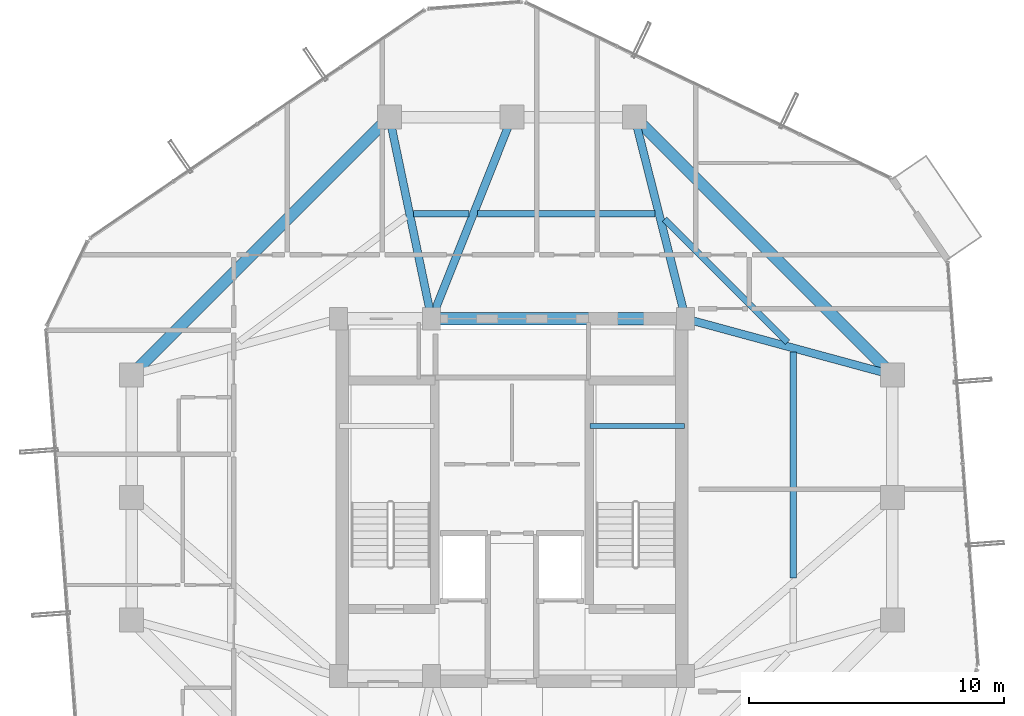
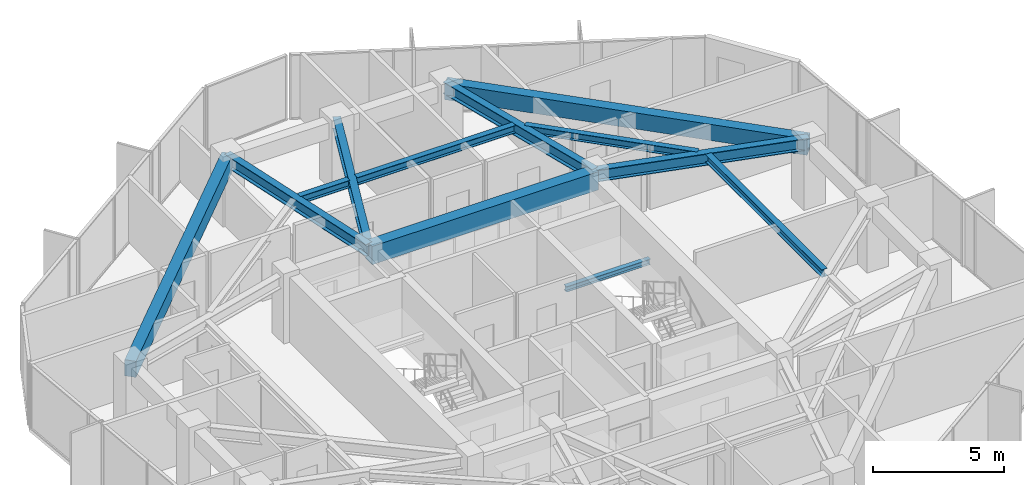
# One storey, part 18 of 34: 12 beams.
"""IFC4 building model written with IfcOpenShell, lengths in metres."""

from ifc_helpers import new_model, si_unit, direction, frame, origin, origin_2d, place, context, subcontext, project, spatial, rectangle, i_section, extrude, material, material_profile, profile_set, type_object, element, save


model = new_model("IFC4")

# Units and contexts
model_context = context("Model", 3, precision=1e-05, world=origin(), true_north=direction((0.0, 1.0)))
body_context = subcontext(model_context, "Body", "Model", "MODEL_VIEW")
ifc_project = project(units=[si_unit("LENGTHUNIT", "METRE"), si_unit("AREAUNIT", "SQUARE_METRE"), si_unit("VOLUMEUNIT", "CUBIC_METRE"), si_unit("PLANEANGLEUNIT", "RADIAN"), si_unit("MASSUNIT", "GRAM", prefix="KILO")], contexts=[model_context])

# Site, building, storey
site_placement = place(None, origin())
site = spatial("IfcSite", under=ifc_project, at=site_placement, CompositionType="ELEMENT")
building_placement = place(site_placement, origin())
building = spatial("IfcBuilding", under=site, at=building_placement, Name="Veraguas Prism Commons", CompositionType="ELEMENT")
storey_placement = place(building_placement, frame((0.0, 0.0, 191.85009765625)))
storey = spatial("IfcBuildingStorey", under=building, at=storey_placement, Name="L54", CompositionType="ELEMENT", Elevation=191.85009765625)

# Beams
ifc_material_1 = material(Name="Concrete C50/60", Category="concrete")
ifc_material_profile_1 = material_profile(ifc_material_1, rectangle(XDim=0.5, YDim=0.85009765625, at=origin_2d()), Name="RC500X850")
ifc_profile_set_1 = profile_set([ifc_material_profile_1], Name="Concrete C50/60")
beam_type_1 = type_object("IfcBeamType", Name="Core Coupling Beam RC 500x850", PredefinedType="BEAM", material=ifc_profile_set_1)
beam_1_placement = place(storey_placement, frame((20.85009765625, 31.0, 2.58984375), z_axis=(1.0, 0.0, 0.0), x_axis=(0.0, 1.0, 0.0)))
element("IfcBeam", 1, at=beam_1_placement, inside=storey, type_object=beam_type_1, Name="Core Coupling Beam L54-CRN2", PredefinedType="BEAM", context=body_context, shape_type="SweptSolid", body=[
    extrude(rectangle(XDim=0.5, YDim=0.85009765625, at=origin_2d()), origin(), (0.0, 0.0, 1.0), 9.949951171875),
])
ifc_material_profile_2 = material_profile(ifc_material_1, rectangle(XDim=0.449951171875, YDim=0.75, at=origin_2d()), Name="RC450X750")
ifc_profile_set_2 = profile_set([ifc_material_profile_2], Name="Concrete C50/60")
beam_type_2 = type_object("IfcBeamType", Name="Perimeter Spandrel Upper RC 450x750", PredefinedType="SPANDREL", material=ifc_profile_set_2)
for number, where, z_axis, x_axis, name in (
    (2, (38.89990234375, 28.800048828125, 2.639892578125), (-0.707106781187, 0.707106781187, 0.0), (-0.707106781187, -0.707106781187, 0.0), "Perimeter Spandrel Beam L54-SP03"),
    (3, (19.199951171875, 38.89990234375, 2.639892578125), (-0.707106781187, -0.707106781187, 0.0), (0.707106781187, -0.707106781187, 0.0), "Perimeter Spandrel Beam L54-SP06"),
):
    element("IfcBeam", number, at=place(storey_placement, frame(where, z_axis=z_axis, x_axis=x_axis)), inside=storey, type_object=beam_type_2, Name=name, PredefinedType="SPANDREL", context=body_context, shape_type="SweptSolid", body=[
        extrude(rectangle(XDim=0.449951171875, YDim=0.75, at=origin_2d()), origin(), (0.0, 0.0, 1.0), 14.283447265625),
    ])
ifc_material_2 = material(Name="Steel ASTM A992 Grade 50", Category="steel")
ifc_material_profile_3 = material_profile(ifc_material_2, i_section(OverallWidth=0.202880859375, OverallDepth=0.251953125, WebThickness=0.008056640625, FlangeThickness=0.013427734375, at=origin_2d()), Name="W250X58")
ifc_profile_set_3 = profile_set([ifc_material_profile_3], Name="Steel ASTM A992 Grade 50")
beam_type_3 = type_object("IfcBeamType", Name="Structural Opening Lintel W250x58", PredefinedType="LINTEL", material=ifc_profile_set_3)
beam_2_placement = place(storey_placement, frame((27.050048828125, 26.800048828125, 1.298828125), z_axis=(1.0, 0.0, 0.0), x_axis=(0.0, 1.0, 0.0)))
element("IfcBeam", 4, at=beam_2_placement, inside=storey, type_object=beam_type_3, Name="Stair ST-02 Half-Landing Support Beam L54-1", PredefinedType="LINTEL", context=body_context, shape_type="SweptSolid", body=[
    extrude(i_section(OverallWidth=0.202880859375, OverallDepth=0.251953125, WebThickness=0.008056640625, FlangeThickness=0.013427734375, at=origin_2d()), origin(), (0.0, 0.0, 1.0), 3.699951171875),
])
ifc_material_profile_4 = material_profile(ifc_material_2, i_section(OverallWidth=0.25390625, OverallDepth=0.35302734375, WebThickness=0.009521484375, FlangeThickness=0.016357421875, at=origin_2d()), Name="W360X91")
ifc_profile_set_4 = profile_set([ifc_material_profile_4], Name="Steel ASTM A992 Grade 50")
beam_type_4 = type_object("IfcBeamType", Name="Upper Floor Joist W360x91", PredefinedType="JOIST", material=ifc_profile_set_4)
beam_3_placement = place(storey_placement, frame((35.011962890625, 20.843017578125, 2.83837890625), z_axis=(0.0, 1.0, 0.0), x_axis=(-1.0, 0.0, 0.0)))
element("IfcBeam", 5, at=beam_3_placement, inside=storey, type_object=beam_type_4, Name="Composite Floor Joist L54-JS02", PredefinedType="JOIST", context=body_context, shape_type="SweptSolid", body=[
    extrude(i_section(OverallWidth=0.25390625, OverallDepth=0.35302734375, WebThickness=0.009521484375, FlangeThickness=0.016357421875, at=origin_2d()), origin(), (0.0, 0.0, 1.0), 8.85400390625),
])
beam_4_placement = place(storey_placement, frame((34.793701171875, 30.074462890625, 2.83837890625), z_axis=(-0.707124682851, 0.707088879069, 0.0), x_axis=(-0.707088879069, -0.707124682851, 0.0)))
element("IfcBeam", 6, at=beam_4_placement, inside=storey, type_object=beam_type_4, Name="Composite Floor Joist L54-JS03", PredefinedType="JOIST", context=body_context, shape_type="SweptSolid", body=[
    extrude(i_section(OverallWidth=0.25390625, OverallDepth=0.35302734375, WebThickness=0.009521484375, FlangeThickness=0.016357421875, at=origin_2d()), origin(), (0.0, 0.0, 1.0), 6.81884765625),
])
beam_5_placement = place(storey_placement, frame((29.601806640625, 35.10791015625, 2.83837890625), z_axis=(-1.0, 0.0, 0.0), x_axis=(0.0, -1.0, 0.0)))
element("IfcBeam", 7, at=beam_5_placement, inside=storey, type_object=beam_type_4, Name="Composite Floor Joist L54-JS04", PredefinedType="JOIST", context=body_context, shape_type="SweptSolid", body=[
    extrude(i_section(OverallWidth=0.25390625, OverallDepth=0.35302734375, WebThickness=0.009521484375, FlangeThickness=0.016357421875, at=origin_2d()), origin(), (0.0, 0.0, 1.0), 6.948486328125),
])
beam_6_placement = place(storey_placement, frame((22.32275390625, 35.10791015625, 2.83837890625), z_axis=(-1.0, 0.0, 0.0), x_axis=(0.0, -1.0, 0.0)))
element("IfcBeam", 8, at=beam_6_placement, inside=storey, type_object=beam_type_4, Name="Composite Floor Joist L54-JS05", PredefinedType="JOIST", context=body_context, shape_type="SweptSolid", body=[
    extrude(i_section(OverallWidth=0.25390625, OverallDepth=0.35302734375, WebThickness=0.009521484375, FlangeThickness=0.016357421875, at=origin_2d()), origin(), (0.0, 0.0, 1.0), 2.174072265625),
])
ifc_material_profile_5 = material_profile(ifc_material_2, i_section(OverallWidth=0.31103515625, OverallDepth=0.5458984375, WebThickness=0.0146484375, FlangeThickness=0.023681640625, at=origin_2d()), Name="W530X165")
ifc_profile_set_5 = profile_set([ifc_material_profile_5], Name="Steel ASTM A992 Grade 50")
beam_type_5 = type_object("IfcBeamType", Name="Zone 3 Radial Girder W530x165", PredefinedType="BEAM", material=ifc_profile_set_5)
beam_7_placement = place(storey_placement, frame((38.89990234375, 28.800048828125, 2.741943359375), z_axis=(-0.965038506703, 0.262108146725, 0.0), x_axis=(-0.262108146725, -0.965038506703, 0.0)))
element("IfcBeam", 9, at=beam_7_placement, inside=storey, type_object=beam_type_5, Name="Radial Floor Girder L54-RD03", PredefinedType="BEAM", context=body_context, shape_type="SweptSolid", body=[
    extrude(i_section(OverallWidth=0.31103515625, OverallDepth=0.5458984375, WebThickness=0.0146484375, FlangeThickness=0.023681640625, at=origin_2d()), origin(), (0.0, 0.0, 1.0), 8.393310546875),
])
beam_8_placement = place(storey_placement, frame((28.800048828125, 38.89990234375, 2.741943359375), z_axis=(0.245424718066, -0.969415652732, 0.0), x_axis=(0.969415652732, 0.245424718066, 0.0)))
element("IfcBeam", 10, at=beam_8_placement, inside=storey, type_object=beam_type_5, Name="Radial Floor Girder L54-RD04", PredefinedType="BEAM", context=body_context, shape_type="SweptSolid", body=[
    extrude(i_section(OverallWidth=0.31103515625, OverallDepth=0.5458984375, WebThickness=0.0146484375, FlangeThickness=0.023681640625, at=origin_2d()), origin(), (0.0, 0.0, 1.0), 8.149169921875),
])
beam_9_placement = place(storey_placement, frame((24.0, 38.89990234375, 2.741943359375), z_axis=(-0.370370877803, -0.928883960931, 0.0), x_axis=(0.928883960931, -0.370370877803, 0.0)))
element("IfcBeam", 11, at=beam_9_placement, inside=storey, type_object=beam_type_5, Name="Radial Floor Girder L54-RD05", PredefinedType="BEAM", context=body_context, shape_type="SweptSolid", body=[
    extrude(i_section(OverallWidth=0.31103515625, OverallDepth=0.5458984375, WebThickness=0.0146484375, FlangeThickness=0.023681640625, at=origin_2d()), origin(), (0.0, 0.0, 1.0), 8.504638671875),
])
beam_10_placement = place(storey_placement, frame((19.199951171875, 38.89990234375, 2.741943359375), z_axis=(0.204468851168, -0.978873070884, 0.0), x_axis=(0.978873070884, 0.204468851168, 0.0)))
element("IfcBeam", 12, at=beam_10_placement, inside=storey, type_object=beam_type_5, Name="Radial Floor Girder L54-RD06", PredefinedType="BEAM", context=body_context, shape_type="SweptSolid", body=[
    extrude(i_section(OverallWidth=0.31103515625, OverallDepth=0.5458984375, WebThickness=0.0146484375, FlangeThickness=0.023681640625, at=origin_2d()), origin(), (0.0, 0.0, 1.0), 8.0703125),
])

save(model, "model.ifc")
